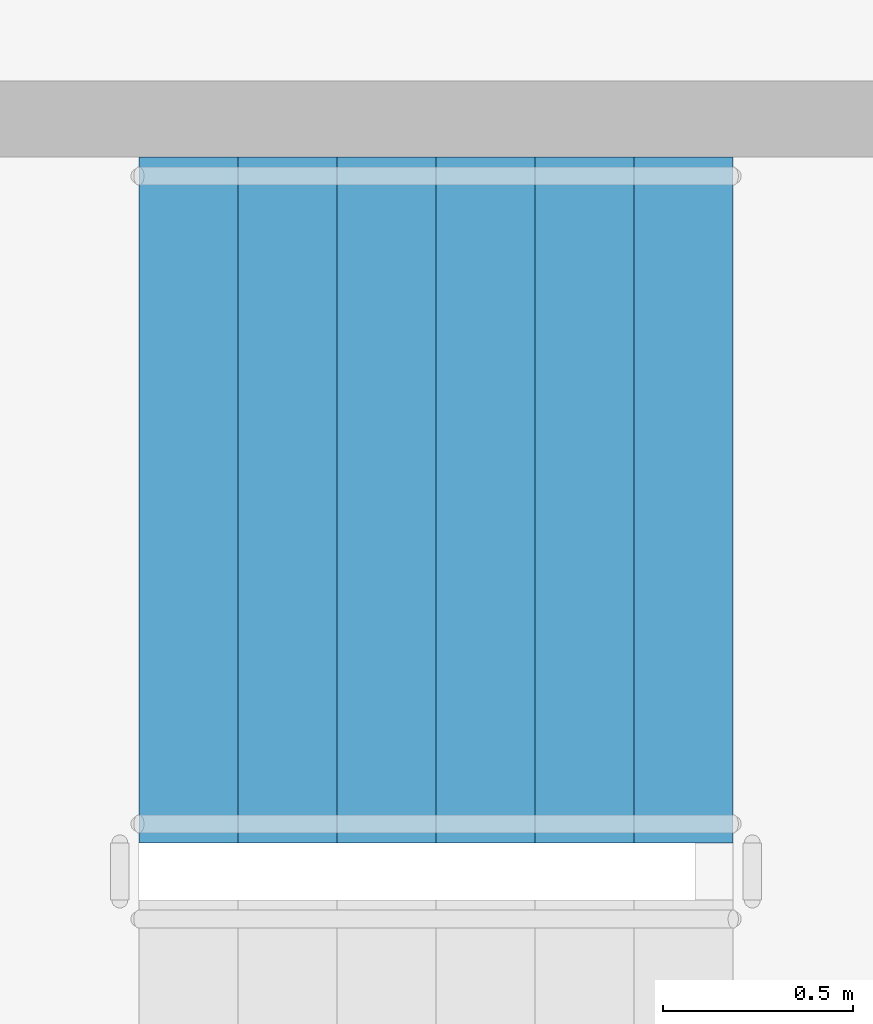
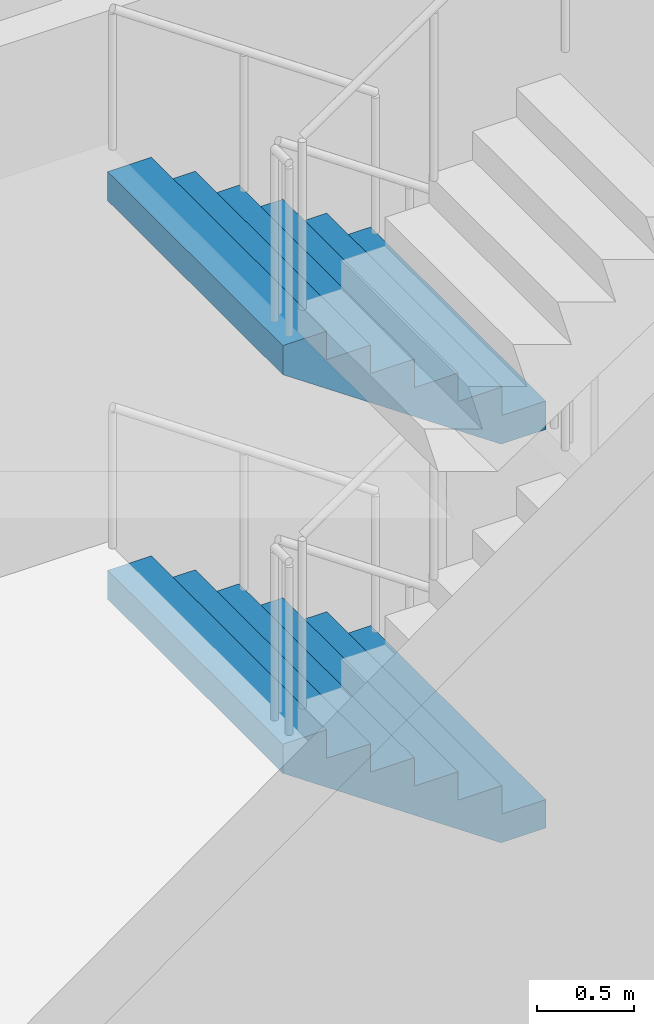
# One storey, part 45 of 59: 2 stair flights, 1 element without a shape of its own.
"""IFC4 building model written with IfcOpenShell, lengths in metres."""

from ifc_helpers import new_model, si_unit, direction, frame, origin, place, context, subcontext, project, spatial, faceted_brep, material, type_object, element, aggregate, save


model = new_model("IFC4")

# Units and contexts
model_context = context("Model", 3, precision=1e-05, world=origin(), true_north=direction((0.0, 1.0)))
body_context = subcontext(model_context, "Body", "Model", "MODEL_VIEW")
ifc_project = project(units=[si_unit("LENGTHUNIT", "METRE"), si_unit("AREAUNIT", "SQUARE_METRE"), si_unit("VOLUMEUNIT", "CUBIC_METRE"), si_unit("PLANEANGLEUNIT", "RADIAN"), si_unit("MASSUNIT", "GRAM", prefix="KILO")], contexts=[model_context])

# Site, building, storey
site_placement = place(None, origin())
site = spatial("IfcSite", under=ifc_project, at=site_placement, CompositionType="ELEMENT")
building_placement = place(site_placement, origin())
building = spatial("IfcBuilding", under=site, at=building_placement, Name="Ipe Terrace Towers", CompositionType="ELEMENT")
storey_placement = place(building_placement, frame((0.0, 0.0, 6.0)))
storey = spatial("IfcBuildingStorey", under=building, at=storey_placement, Name="L01", CompositionType="ELEMENT", Elevation=6.0)

# Stair, stair flights
ifc_material_1 = material(Name="Concrete C30/37", Category="concrete")
stair_type = type_object("IfcStairType", Name="Protected exit stair", PredefinedType="HALF_TURN_STAIR", material=ifc_material_1)
stair_placement = place(storey_placement, origin())
stair = element("IfcStair", 1, at=stair_placement, inside=storey, type_object=stair_type, Name="L01 Podium exit stair PS2", PredefinedType="HALF_TURN_STAIR")
ifc_material_2 = material(Name="Concrete C30/37", Category="concrete")
stair_flight_type = type_object("IfcStairFlightType", Name="Exit stair flight 1800", PredefinedType="STRAIGHT", material=ifc_material_2)
stair_flight_1_placement = place(storey_placement, frame((-0.75, 25.5, 0.0), z_axis=(0.0, 0.0, 1.0), x_axis=(-1.0, 0.0, 0.0)))
stair_flight_1 = element("IfcStairFlight", 2, at=stair_flight_1_placement, type_object=stair_flight_type, Name="PS2 flight 1", NumberOfRisers=7, NumberOfTreads=6, PredefinedType="STRAIGHT", RiserHeight=0.178571429, TreadLength=0.26, context=body_context, shape_type="Brep", body=[
    faceted_brep([(0.264892578125, -0.89990234375, 0.0), (1.56005859375, -0.89990234375, 0.8896484375), (1.56005859375, -0.89990234375, 1.071533203125), (1.300048828125, -0.89990234375, 1.071533203125), (1.300048828125, -0.89990234375, 0.892822265625), (1.0400390625, -0.89990234375, 0.892822265625), (1.0400390625, -0.89990234375, 0.71435546875), (0.780029296875, -0.89990234375, 0.71435546875), (0.780029296875, -0.89990234375, 0.53564453125), (0.52001953125, -0.89990234375, 0.53564453125), (0.52001953125, -0.89990234375, 0.357177734375), (0.260009765625, -0.89990234375, 0.357177734375), (0.260009765625, -0.89990234375, 0.178466796875), (0.0, -0.89990234375, 0.178466796875), (0.0, -0.89990234375, 0.0), (0.0, 0.89990234375, 0.0), (0.0, 0.89990234375, 0.178466796875), (0.260009765625, 0.89990234375, 0.178466796875), (0.260009765625, 0.89990234375, 0.357177734375), (0.52001953125, 0.89990234375, 0.357177734375), (0.52001953125, 0.89990234375, 0.53564453125), (0.780029296875, 0.89990234375, 0.53564453125), (0.780029296875, 0.89990234375, 0.71435546875), (1.0400390625, 0.89990234375, 0.71435546875), (1.0400390625, 0.89990234375, 0.892822265625), (1.300048828125, 0.89990234375, 0.892822265625), (1.300048828125, 0.89990234375, 1.071533203125), (1.56005859375, 0.89990234375, 1.071533203125), (1.56005859375, 0.89990234375, 0.8896484375), (0.264892578125, 0.89990234375, 0.0), (0.0, -0.300048828125, 0.178466796875), (0.0, -0.1201171875, 0.178466796875), (0.0, -0.06005859375, 0.178466796875), (0.0, -0.030029296875, 0.178466796875), (0.0, -0.010009765625, 0.178466796875), (0.0, 0.0, 0.178466796875), (0.0, 0.010009765625, 0.178466796875), (0.0, 0.030029296875, 0.178466796875), (0.0, 0.06005859375, 0.178466796875), (0.0, 0.1201171875, 0.178466796875), (0.0, 0.300048828125, 0.178466796875), (0.0, 0.300048828125, 0.0), (0.0, 0.1201171875, 0.0), (0.0, 0.06005859375, 0.0), (0.0, 0.030029296875, 0.0), (0.0, 0.010009765625, 0.0), (0.0, 0.0, 0.0), (0.0, -0.010009765625, 0.0), (0.0, -0.030029296875, 0.0), (0.0, -0.06005859375, 0.0), (0.0, -0.1201171875, 0.0), (0.0, -0.300048828125, 0.0), (0.260009765625, -0.300048828125, 0.178466796875), (0.260009765625, -0.1201171875, 0.178466796875), (0.260009765625, -0.06005859375, 0.178466796875), (0.260009765625, -0.030029296875, 0.178466796875), (0.260009765625, -0.010009765625, 0.178466796875), (0.260009765625, 0.0, 0.178466796875), (0.260009765625, 0.010009765625, 0.178466796875), (0.260009765625, 0.030029296875, 0.178466796875), (0.260009765625, 0.06005859375, 0.178466796875), (0.260009765625, 0.1201171875, 0.178466796875), (0.260009765625, 0.300048828125, 0.178466796875), (0.260009765625, -0.300048828125, 0.357177734375), (0.260009765625, -0.1201171875, 0.357177734375), (0.260009765625, -0.06005859375, 0.357177734375), (0.260009765625, -0.030029296875, 0.357177734375), (0.260009765625, -0.010009765625, 0.357177734375), (0.260009765625, 0.0, 0.357177734375), (0.260009765625, 0.010009765625, 0.357177734375), (0.260009765625, 0.030029296875, 0.357177734375), (0.260009765625, 0.06005859375, 0.357177734375), (0.260009765625, 0.1201171875, 0.357177734375), (0.260009765625, 0.300048828125, 0.357177734375), (0.52001953125, -0.300048828125, 0.357177734375), (0.52001953125, -0.1201171875, 0.357177734375), (0.52001953125, -0.06005859375, 0.357177734375), (0.52001953125, -0.030029296875, 0.357177734375), (0.52001953125, -0.010009765625, 0.357177734375), (0.52001953125, 0.0, 0.357177734375), (0.52001953125, 0.010009765625, 0.357177734375), (0.52001953125, 0.030029296875, 0.357177734375), (0.52001953125, 0.06005859375, 0.357177734375), (0.52001953125, 0.1201171875, 0.357177734375), (0.52001953125, 0.300048828125, 0.357177734375), (0.52001953125, -0.300048828125, 0.53564453125), (0.52001953125, -0.1201171875, 0.53564453125), (0.52001953125, -0.06005859375, 0.53564453125), (0.52001953125, -0.030029296875, 0.53564453125), (0.52001953125, -0.010009765625, 0.53564453125), (0.52001953125, 0.0, 0.53564453125), (0.52001953125, 0.010009765625, 0.53564453125), (0.52001953125, 0.030029296875, 0.53564453125), (0.52001953125, 0.06005859375, 0.53564453125), (0.52001953125, 0.1201171875, 0.53564453125), (0.52001953125, 0.300048828125, 0.53564453125), (0.780029296875, -0.300048828125, 0.53564453125), (0.780029296875, -0.1201171875, 0.53564453125), (0.780029296875, -0.06005859375, 0.53564453125), (0.780029296875, -0.030029296875, 0.53564453125), (0.780029296875, -0.010009765625, 0.53564453125), (0.780029296875, 0.0, 0.53564453125), (0.780029296875, 0.010009765625, 0.53564453125), (0.780029296875, 0.030029296875, 0.53564453125), (0.780029296875, 0.06005859375, 0.53564453125), (0.780029296875, 0.1201171875, 0.53564453125), (0.780029296875, 0.300048828125, 0.53564453125), (0.780029296875, -0.300048828125, 0.71435546875), (0.780029296875, -0.1201171875, 0.71435546875), (0.780029296875, -0.06005859375, 0.71435546875), (0.780029296875, -0.030029296875, 0.71435546875), (0.780029296875, -0.010009765625, 0.71435546875), (0.780029296875, 0.0, 0.71435546875), (0.780029296875, 0.010009765625, 0.71435546875), (0.780029296875, 0.030029296875, 0.71435546875), (0.780029296875, 0.06005859375, 0.71435546875), (0.780029296875, 0.1201171875, 0.71435546875), (0.780029296875, 0.300048828125, 0.71435546875), (1.0400390625, -0.300048828125, 0.71435546875), (1.0400390625, -0.1201171875, 0.71435546875), (1.0400390625, -0.06005859375, 0.71435546875), (1.0400390625, -0.030029296875, 0.71435546875), (1.0400390625, -0.010009765625, 0.71435546875), (1.0400390625, 0.0, 0.71435546875), (1.0400390625, 0.010009765625, 0.71435546875), (1.0400390625, 0.030029296875, 0.71435546875), (1.0400390625, 0.06005859375, 0.71435546875), (1.0400390625, 0.1201171875, 0.71435546875), (1.0400390625, 0.300048828125, 0.71435546875), (1.0400390625, -0.300048828125, 0.892822265625), (1.0400390625, -0.1201171875, 0.892822265625), (1.0400390625, -0.06005859375, 0.892822265625), (1.0400390625, -0.030029296875, 0.892822265625), (1.0400390625, -0.010009765625, 0.892822265625), (1.0400390625, 0.0, 0.892822265625), (1.0400390625, 0.010009765625, 0.892822265625), (1.0400390625, 0.030029296875, 0.892822265625), (1.0400390625, 0.06005859375, 0.892822265625), (1.0400390625, 0.1201171875, 0.892822265625), (1.0400390625, 0.300048828125, 0.892822265625), (1.300048828125, -0.300048828125, 0.892822265625), (1.300048828125, -0.1201171875, 0.892822265625), (1.300048828125, -0.06005859375, 0.892822265625), (1.300048828125, -0.030029296875, 0.892822265625), (1.300048828125, -0.010009765625, 0.892822265625), (1.300048828125, 0.0, 0.892822265625), (1.300048828125, 0.010009765625, 0.892822265625), (1.300048828125, 0.030029296875, 0.892822265625), (1.300048828125, 0.06005859375, 0.892822265625), (1.300048828125, 0.1201171875, 0.892822265625), (1.300048828125, 0.300048828125, 0.892822265625), (1.300048828125, -0.300048828125, 1.071533203125), (1.300048828125, -0.1201171875, 1.071533203125), (1.300048828125, -0.06005859375, 1.071533203125), (1.300048828125, -0.030029296875, 1.071533203125), (1.300048828125, -0.010009765625, 1.071533203125), (1.300048828125, 0.0, 1.071533203125), (1.300048828125, 0.010009765625, 1.071533203125), (1.300048828125, 0.030029296875, 1.071533203125), (1.300048828125, 0.06005859375, 1.071533203125), (1.300048828125, 0.1201171875, 1.071533203125), (1.300048828125, 0.300048828125, 1.071533203125), (1.56005859375, -0.300048828125, 1.071533203125), (1.56005859375, -0.1201171875, 1.071533203125), (1.56005859375, -0.06005859375, 1.071533203125), (1.56005859375, -0.030029296875, 1.071533203125), (1.56005859375, -0.010009765625, 1.071533203125), (1.56005859375, 0.0, 1.071533203125), (1.56005859375, 0.010009765625, 1.071533203125), (1.56005859375, 0.030029296875, 1.071533203125), (1.56005859375, 0.06005859375, 1.071533203125), (1.56005859375, 0.1201171875, 1.071533203125), (1.56005859375, 0.300048828125, 1.071533203125), (1.56005859375, -0.300048828125, 0.8896484375), (1.56005859375, -0.1201171875, 0.8896484375), (1.56005859375, -0.06005859375, 0.8896484375), (1.56005859375, -0.030029296875, 0.8896484375), (1.56005859375, -0.010009765625, 0.8896484375), (1.56005859375, 0.0, 0.8896484375), (1.56005859375, 0.010009765625, 0.8896484375), (1.56005859375, 0.030029296875, 0.8896484375), (1.56005859375, 0.06005859375, 0.8896484375), (1.56005859375, 0.1201171875, 0.8896484375), (1.56005859375, 0.300048828125, 0.8896484375), (0.264892578125, -0.300048828125, 0.0), (0.264892578125, -0.1201171875, 0.0), (0.264892578125, -0.06005859375, 0.0), (0.264892578125, -0.030029296875, 0.0), (0.264892578125, -0.010009765625, 0.0), (0.264892578125, 0.0, 0.0), (0.264892578125, 0.010009765625, 0.0), (0.264892578125, 0.030029296875, 0.0), (0.264892578125, 0.06005859375, 0.0), (0.264892578125, 0.1201171875, 0.0), (0.264892578125, 0.300048828125, 0.0)], [[[0, 1, 2, 3, 4, 5, 6, 7, 8, 9, 10, 11, 12, 13, 14]], [[15, 16, 17, 18, 19, 20, 21, 22, 23, 24, 25, 26, 27, 28, 29]], [[13, 30, 31, 32, 33, 34, 35, 36, 37, 38, 39, 40, 16, 15, 41, 42, 43, 44, 45, 46, 47, 48, 49, 50, 51, 14]], [[12, 52, 53, 54, 55, 56, 57, 58, 59, 60, 61, 62, 17, 16, 40, 39, 38, 37, 36, 35, 34, 33, 32, 31, 30, 13]], [[11, 63, 64, 65, 66, 67, 68, 69, 70, 71, 72, 73, 18, 17, 62, 61, 60, 59, 58, 57, 56, 55, 54, 53, 52, 12]], [[10, 74, 75, 76, 77, 78, 79, 80, 81, 82, 83, 84, 19, 18, 73, 72, 71, 70, 69, 68, 67, 66, 65, 64, 63, 11]], [[9, 85, 86, 87, 88, 89, 90, 91, 92, 93, 94, 95, 20, 19, 84, 83, 82, 81, 80, 79, 78, 77, 76, 75, 74, 10]], [[8, 96, 97, 98, 99, 100, 101, 102, 103, 104, 105, 106, 21, 20, 95, 94, 93, 92, 91, 90, 89, 88, 87, 86, 85, 9]], [[7, 107, 108, 109, 110, 111, 112, 113, 114, 115, 116, 117, 22, 21, 106, 105, 104, 103, 102, 101, 100, 99, 98, 97, 96, 8]], [[6, 118, 119, 120, 121, 122, 123, 124, 125, 126, 127, 128, 23, 22, 117, 116, 115, 114, 113, 112, 111, 110, 109, 108, 107, 7]], [[5, 129, 130, 131, 132, 133, 134, 135, 136, 137, 138, 139, 24, 23, 128, 127, 126, 125, 124, 123, 122, 121, 120, 119, 118, 6]], [[4, 140, 141, 142, 143, 144, 145, 146, 147, 148, 149, 150, 25, 24, 139, 138, 137, 136, 135, 134, 133, 132, 131, 130, 129, 5]], [[3, 151, 152, 153, 154, 155, 156, 157, 158, 159, 160, 161, 26, 25, 150, 149, 148, 147, 146, 145, 144, 143, 142, 141, 140, 4]], [[2, 162, 163, 164, 165, 166, 167, 168, 169, 170, 171, 172, 27, 26, 161, 160, 159, 158, 157, 156, 155, 154, 153, 152, 151, 3]], [[1, 173, 174, 175, 176, 177, 178, 179, 180, 181, 182, 183, 28, 27, 172, 171, 170, 169, 168, 167, 166, 165, 164, 163, 162, 2]], [[0, 184, 185, 186, 187, 188, 189, 190, 191, 192, 193, 194, 29, 28, 183, 182, 181, 180, 179, 178, 177, 176, 175, 174, 173, 1]], [[14, 51, 50, 49, 48, 47, 46, 45, 44, 43, 42, 41, 15, 29, 194, 193, 192, 191, 190, 189, 188, 187, 186, 185, 184, 0]]]),
])
stair_flight_2_placement = place(storey_placement, frame((-0.75, 25.5, 2.5), z_axis=(0.0, 0.0, 1.0), x_axis=(-1.0, 0.0, 0.0)))
stair_flight_2 = element("IfcStairFlight", 3, at=stair_flight_2_placement, type_object=stair_flight_type, Name="PS2 flight 3", NumberOfRisers=7, NumberOfTreads=6, PredefinedType="STRAIGHT", RiserHeight=0.178571429, TreadLength=0.26, context=body_context, shape_type="Brep", body=[
    faceted_brep([(0.264892578125, -0.89990234375, 0.0), (1.56005859375, -0.89990234375, 0.8896484375), (1.56005859375, -0.89990234375, 1.071533203125), (1.300048828125, -0.89990234375, 1.071533203125), (1.300048828125, -0.89990234375, 0.892822265625), (1.0400390625, -0.89990234375, 0.892822265625), (1.0400390625, -0.89990234375, 0.71435546875), (0.780029296875, -0.89990234375, 0.71435546875), (0.780029296875, -0.89990234375, 0.53564453125), (0.52001953125, -0.89990234375, 0.53564453125), (0.52001953125, -0.89990234375, 0.357177734375), (0.260009765625, -0.89990234375, 0.357177734375), (0.260009765625, -0.89990234375, 0.178466796875), (0.0, -0.89990234375, 0.178466796875), (0.0, -0.89990234375, 0.0), (0.0, 0.89990234375, 0.0), (0.0, 0.89990234375, 0.178466796875), (0.260009765625, 0.89990234375, 0.178466796875), (0.260009765625, 0.89990234375, 0.357177734375), (0.52001953125, 0.89990234375, 0.357177734375), (0.52001953125, 0.89990234375, 0.53564453125), (0.780029296875, 0.89990234375, 0.53564453125), (0.780029296875, 0.89990234375, 0.71435546875), (1.0400390625, 0.89990234375, 0.71435546875), (1.0400390625, 0.89990234375, 0.892822265625), (1.300048828125, 0.89990234375, 0.892822265625), (1.300048828125, 0.89990234375, 1.071533203125), (1.56005859375, 0.89990234375, 1.071533203125), (1.56005859375, 0.89990234375, 0.8896484375), (0.264892578125, 0.89990234375, 0.0), (0.0, -0.300048828125, 0.178466796875), (0.0, -0.1201171875, 0.178466796875), (0.0, -0.06005859375, 0.178466796875), (0.0, -0.030029296875, 0.178466796875), (0.0, -0.010009765625, 0.178466796875), (0.0, 0.0, 0.178466796875), (0.0, 0.010009765625, 0.178466796875), (0.0, 0.030029296875, 0.178466796875), (0.0, 0.06005859375, 0.178466796875), (0.0, 0.1201171875, 0.178466796875), (0.0, 0.300048828125, 0.178466796875), (0.0, 0.300048828125, 0.0), (0.0, 0.1201171875, 0.0), (0.0, 0.06005859375, 0.0), (0.0, 0.030029296875, 0.0), (0.0, 0.010009765625, 0.0), (0.0, 0.0, 0.0), (0.0, -0.010009765625, 0.0), (0.0, -0.030029296875, 0.0), (0.0, -0.06005859375, 0.0), (0.0, -0.1201171875, 0.0), (0.0, -0.300048828125, 0.0), (0.260009765625, -0.300048828125, 0.178466796875), (0.260009765625, -0.1201171875, 0.178466796875), (0.260009765625, -0.06005859375, 0.178466796875), (0.260009765625, -0.030029296875, 0.178466796875), (0.260009765625, -0.010009765625, 0.178466796875), (0.260009765625, 0.0, 0.178466796875), (0.260009765625, 0.010009765625, 0.178466796875), (0.260009765625, 0.030029296875, 0.178466796875), (0.260009765625, 0.06005859375, 0.178466796875), (0.260009765625, 0.1201171875, 0.178466796875), (0.260009765625, 0.300048828125, 0.178466796875), (0.260009765625, -0.300048828125, 0.357177734375), (0.260009765625, -0.1201171875, 0.357177734375), (0.260009765625, -0.06005859375, 0.357177734375), (0.260009765625, -0.030029296875, 0.357177734375), (0.260009765625, -0.010009765625, 0.357177734375), (0.260009765625, 0.0, 0.357177734375), (0.260009765625, 0.010009765625, 0.357177734375), (0.260009765625, 0.030029296875, 0.357177734375), (0.260009765625, 0.06005859375, 0.357177734375), (0.260009765625, 0.1201171875, 0.357177734375), (0.260009765625, 0.300048828125, 0.357177734375), (0.52001953125, -0.300048828125, 0.357177734375), (0.52001953125, -0.1201171875, 0.357177734375), (0.52001953125, -0.06005859375, 0.357177734375), (0.52001953125, -0.030029296875, 0.357177734375), (0.52001953125, -0.010009765625, 0.357177734375), (0.52001953125, 0.0, 0.357177734375), (0.52001953125, 0.010009765625, 0.357177734375), (0.52001953125, 0.030029296875, 0.357177734375), (0.52001953125, 0.06005859375, 0.357177734375), (0.52001953125, 0.1201171875, 0.357177734375), (0.52001953125, 0.300048828125, 0.357177734375), (0.52001953125, -0.300048828125, 0.53564453125), (0.52001953125, -0.1201171875, 0.53564453125), (0.52001953125, -0.06005859375, 0.53564453125), (0.52001953125, -0.030029296875, 0.53564453125), (0.52001953125, -0.010009765625, 0.53564453125), (0.52001953125, 0.0, 0.53564453125), (0.52001953125, 0.010009765625, 0.53564453125), (0.52001953125, 0.030029296875, 0.53564453125), (0.52001953125, 0.06005859375, 0.53564453125), (0.52001953125, 0.1201171875, 0.53564453125), (0.52001953125, 0.300048828125, 0.53564453125), (0.780029296875, -0.300048828125, 0.53564453125), (0.780029296875, -0.1201171875, 0.53564453125), (0.780029296875, -0.06005859375, 0.53564453125), (0.780029296875, -0.030029296875, 0.53564453125), (0.780029296875, -0.010009765625, 0.53564453125), (0.780029296875, 0.0, 0.53564453125), (0.780029296875, 0.010009765625, 0.53564453125), (0.780029296875, 0.030029296875, 0.53564453125), (0.780029296875, 0.06005859375, 0.53564453125), (0.780029296875, 0.1201171875, 0.53564453125), (0.780029296875, 0.300048828125, 0.53564453125), (0.780029296875, -0.300048828125, 0.71435546875), (0.780029296875, -0.1201171875, 0.71435546875), (0.780029296875, -0.06005859375, 0.71435546875), (0.780029296875, -0.030029296875, 0.71435546875), (0.780029296875, -0.010009765625, 0.71435546875), (0.780029296875, 0.0, 0.71435546875), (0.780029296875, 0.010009765625, 0.71435546875), (0.780029296875, 0.030029296875, 0.71435546875), (0.780029296875, 0.06005859375, 0.71435546875), (0.780029296875, 0.1201171875, 0.71435546875), (0.780029296875, 0.300048828125, 0.71435546875), (1.0400390625, -0.300048828125, 0.71435546875), (1.0400390625, -0.1201171875, 0.71435546875), (1.0400390625, -0.06005859375, 0.71435546875), (1.0400390625, -0.030029296875, 0.71435546875), (1.0400390625, -0.010009765625, 0.71435546875), (1.0400390625, 0.0, 0.71435546875), (1.0400390625, 0.010009765625, 0.71435546875), (1.0400390625, 0.030029296875, 0.71435546875), (1.0400390625, 0.06005859375, 0.71435546875), (1.0400390625, 0.1201171875, 0.71435546875), (1.0400390625, 0.300048828125, 0.71435546875), (1.0400390625, -0.300048828125, 0.892822265625), (1.0400390625, -0.1201171875, 0.892822265625), (1.0400390625, -0.06005859375, 0.892822265625), (1.0400390625, -0.030029296875, 0.892822265625), (1.0400390625, -0.010009765625, 0.892822265625), (1.0400390625, 0.0, 0.892822265625), (1.0400390625, 0.010009765625, 0.892822265625), (1.0400390625, 0.030029296875, 0.892822265625), (1.0400390625, 0.06005859375, 0.892822265625), (1.0400390625, 0.1201171875, 0.892822265625), (1.0400390625, 0.300048828125, 0.892822265625), (1.300048828125, -0.300048828125, 0.892822265625), (1.300048828125, -0.1201171875, 0.892822265625), (1.300048828125, -0.06005859375, 0.892822265625), (1.300048828125, -0.030029296875, 0.892822265625), (1.300048828125, -0.010009765625, 0.892822265625), (1.300048828125, 0.0, 0.892822265625), (1.300048828125, 0.010009765625, 0.892822265625), (1.300048828125, 0.030029296875, 0.892822265625), (1.300048828125, 0.06005859375, 0.892822265625), (1.300048828125, 0.1201171875, 0.892822265625), (1.300048828125, 0.300048828125, 0.892822265625), (1.300048828125, -0.300048828125, 1.071533203125), (1.300048828125, -0.1201171875, 1.071533203125), (1.300048828125, -0.06005859375, 1.071533203125), (1.300048828125, -0.030029296875, 1.071533203125), (1.300048828125, -0.010009765625, 1.071533203125), (1.300048828125, 0.0, 1.071533203125), (1.300048828125, 0.010009765625, 1.071533203125), (1.300048828125, 0.030029296875, 1.071533203125), (1.300048828125, 0.06005859375, 1.071533203125), (1.300048828125, 0.1201171875, 1.071533203125), (1.300048828125, 0.300048828125, 1.071533203125), (1.56005859375, -0.300048828125, 1.071533203125), (1.56005859375, -0.1201171875, 1.071533203125), (1.56005859375, -0.06005859375, 1.071533203125), (1.56005859375, -0.030029296875, 1.071533203125), (1.56005859375, -0.010009765625, 1.071533203125), (1.56005859375, 0.0, 1.071533203125), (1.56005859375, 0.010009765625, 1.071533203125), (1.56005859375, 0.030029296875, 1.071533203125), (1.56005859375, 0.06005859375, 1.071533203125), (1.56005859375, 0.1201171875, 1.071533203125), (1.56005859375, 0.300048828125, 1.071533203125), (1.56005859375, -0.300048828125, 0.8896484375), (1.56005859375, -0.1201171875, 0.8896484375), (1.56005859375, -0.06005859375, 0.8896484375), (1.56005859375, -0.030029296875, 0.8896484375), (1.56005859375, -0.010009765625, 0.8896484375), (1.56005859375, 0.0, 0.8896484375), (1.56005859375, 0.010009765625, 0.8896484375), (1.56005859375, 0.030029296875, 0.8896484375), (1.56005859375, 0.06005859375, 0.8896484375), (1.56005859375, 0.1201171875, 0.8896484375), (1.56005859375, 0.300048828125, 0.8896484375), (0.264892578125, -0.300048828125, 0.0), (0.264892578125, -0.1201171875, 0.0), (0.264892578125, -0.06005859375, 0.0), (0.264892578125, -0.030029296875, 0.0), (0.264892578125, -0.010009765625, 0.0), (0.264892578125, 0.0, 0.0), (0.264892578125, 0.010009765625, 0.0), (0.264892578125, 0.030029296875, 0.0), (0.264892578125, 0.06005859375, 0.0), (0.264892578125, 0.1201171875, 0.0), (0.264892578125, 0.300048828125, 0.0)], [[[0, 1, 2, 3, 4, 5, 6, 7, 8, 9, 10, 11, 12, 13, 14]], [[15, 16, 17, 18, 19, 20, 21, 22, 23, 24, 25, 26, 27, 28, 29]], [[13, 30, 31, 32, 33, 34, 35, 36, 37, 38, 39, 40, 16, 15, 41, 42, 43, 44, 45, 46, 47, 48, 49, 50, 51, 14]], [[12, 52, 53, 54, 55, 56, 57, 58, 59, 60, 61, 62, 17, 16, 40, 39, 38, 37, 36, 35, 34, 33, 32, 31, 30, 13]], [[11, 63, 64, 65, 66, 67, 68, 69, 70, 71, 72, 73, 18, 17, 62, 61, 60, 59, 58, 57, 56, 55, 54, 53, 52, 12]], [[10, 74, 75, 76, 77, 78, 79, 80, 81, 82, 83, 84, 19, 18, 73, 72, 71, 70, 69, 68, 67, 66, 65, 64, 63, 11]], [[9, 85, 86, 87, 88, 89, 90, 91, 92, 93, 94, 95, 20, 19, 84, 83, 82, 81, 80, 79, 78, 77, 76, 75, 74, 10]], [[8, 96, 97, 98, 99, 100, 101, 102, 103, 104, 105, 106, 21, 20, 95, 94, 93, 92, 91, 90, 89, 88, 87, 86, 85, 9]], [[7, 107, 108, 109, 110, 111, 112, 113, 114, 115, 116, 117, 22, 21, 106, 105, 104, 103, 102, 101, 100, 99, 98, 97, 96, 8]], [[6, 118, 119, 120, 121, 122, 123, 124, 125, 126, 127, 128, 23, 22, 117, 116, 115, 114, 113, 112, 111, 110, 109, 108, 107, 7]], [[5, 129, 130, 131, 132, 133, 134, 135, 136, 137, 138, 139, 24, 23, 128, 127, 126, 125, 124, 123, 122, 121, 120, 119, 118, 6]], [[4, 140, 141, 142, 143, 144, 145, 146, 147, 148, 149, 150, 25, 24, 139, 138, 137, 136, 135, 134, 133, 132, 131, 130, 129, 5]], [[3, 151, 152, 153, 154, 155, 156, 157, 158, 159, 160, 161, 26, 25, 150, 149, 148, 147, 146, 145, 144, 143, 142, 141, 140, 4]], [[2, 162, 163, 164, 165, 166, 167, 168, 169, 170, 171, 172, 27, 26, 161, 160, 159, 158, 157, 156, 155, 154, 153, 152, 151, 3]], [[1, 173, 174, 175, 176, 177, 178, 179, 180, 181, 182, 183, 28, 27, 172, 171, 170, 169, 168, 167, 166, 165, 164, 163, 162, 2]], [[0, 184, 185, 186, 187, 188, 189, 190, 191, 192, 193, 194, 29, 28, 183, 182, 181, 180, 179, 178, 177, 176, 175, 174, 173, 1]], [[14, 51, 50, 49, 48, 47, 46, 45, 44, 43, 42, 41, 15, 29, 194, 193, 192, 191, 190, 189, 188, 187, 186, 185, 184, 0]]]),
])
aggregate(stair, [stair_flight_1, stair_flight_2])

save(model, "model.ifc")
